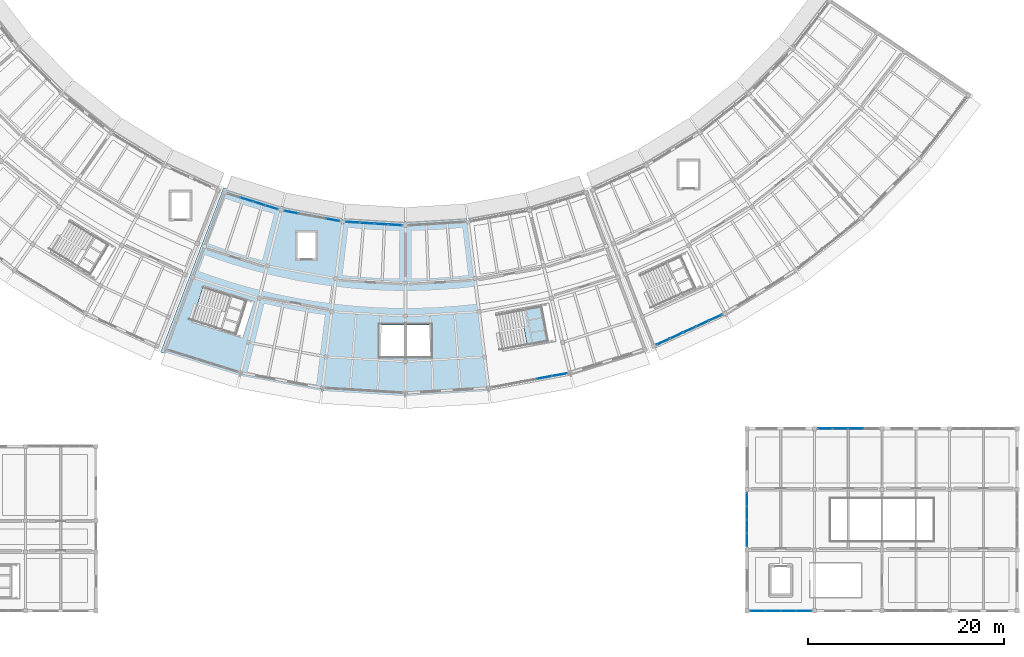
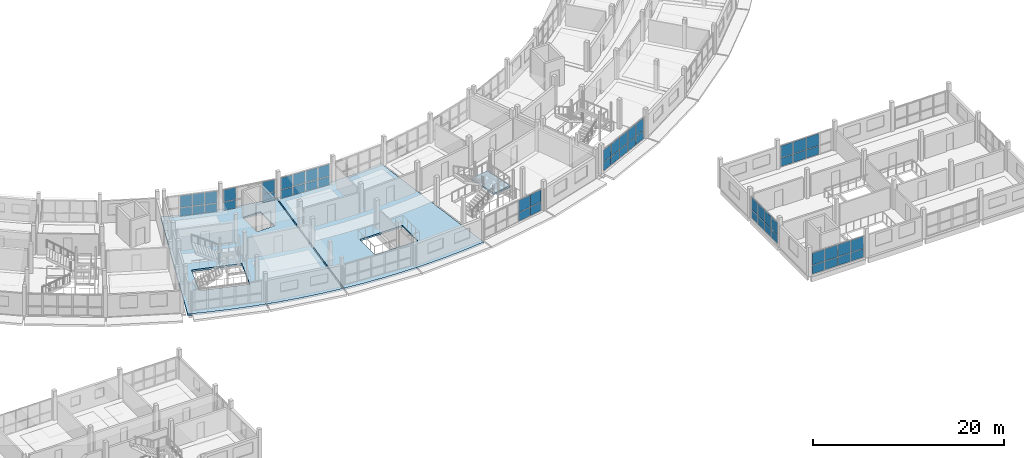
# One storey, part 47 of 77: 54 plates, 3 slabs, 9 elements without a shape of their own.
"""IFC4 building model written with IfcOpenShell, lengths in metres."""

from ifc_helpers import new_model, si_unit, direction, frame, origin, origin_2d, place, context, subcontext, project, spatial, polyline, rectangle, outline, extrude, material, layer, layer_set, type_object, element, aggregate, save


model = new_model("IFC4")

# Units and contexts
model_context = context("Model", 3, precision=1e-05, world=origin(), true_north=direction((0.0, 1.0)))
body_context = subcontext(model_context, "Body", "Model", "MODEL_VIEW")
ifc_project = project(units=[si_unit("LENGTHUNIT", "METRE"), si_unit("AREAUNIT", "SQUARE_METRE"), si_unit("VOLUMEUNIT", "CUBIC_METRE"), si_unit("PLANEANGLEUNIT", "RADIAN"), si_unit("MASSUNIT", "GRAM", prefix="KILO")], contexts=[model_context])

# Site, building, storey
site_placement = place(None, origin())
site = spatial("IfcSite", under=ifc_project, at=site_placement, CompositionType="ELEMENT")
building_placement = place(site_placement, origin())
building = spatial("IfcBuilding", under=site, at=building_placement, Name="Caldaven Crescent School", CompositionType="ELEMENT")
storey_placement = place(building_placement, frame((0.0, 0.0, 4.419921875)))
storey = spatial("IfcBuildingStorey", under=building, at=storey_placement, Name="L01", CompositionType="ELEMENT", Elevation=4.419921875)

# Curtain wall, plates
ifc_material_1 = material(Name="Anodised aluminium AA 6063-T6 and low-E double glazing", Category="aluminium")
ifc_layer_1 = layer(ifc_material_1, 0.2099609375)
ifc_layer_set_1 = layer_set([ifc_layer_1], Name="Anodised aluminium AA 6063-T6 and low-E double glazing")
curtain_wall_type_1 = type_object("IfcCurtainWallType", Name="CW-SYS3", PredefinedType="NOTDEFINED", material=ifc_layer_set_1)
curtain_wall_1_placement = place(storey_placement, origin())
curtain_wall_1 = element("IfcCurtainWall", 1, at=curtain_wall_1_placement, inside=storey, type_object=curtain_wall_type_1, Name="CW-L01-121", PredefinedType="NOTDEFINED")
ifc_material_2 = material(Name="Tempered low-E double glazing IGU", Category="glass")
ifc_layer_2 = layer(ifc_material_2, 0.028076171875)
ifc_layer_set_2 = layer_set([ifc_layer_2], Name="Tempered low-E double glazing IGU")
plate_type_1 = type_object("IfcPlateType", Name="PLT-CWP02", PredefinedType="CURTAIN_PANEL", material=ifc_layer_set_2)
plate_1_placement = place(storey_placement, frame((71.776611328125, 46.208984375, 0.06005859375), z_axis=(0.0, 0.0, 1.0), x_axis=(0.954746818344, -0.297419758694, 0.0)))
plate_1 = element("IfcPlate", 2, at=plate_1_placement, type_object=plate_type_1, Name="CW3 panel 2.1", PredefinedType="CURTAIN_PANEL", context=body_context, shape_type="SweptSolid", body=[
    extrude(rectangle(XDim=1.30078125, YDim=0.028076171875, at=origin_2d()), origin(), (0.0, 0.0, 1.0), 1.077880859375),
])
plate_2_placement = place(storey_placement, frame((71.776611328125, 46.208984375, 1.197998046875), z_axis=(0.0, 0.0, 1.0), x_axis=(0.954746818344, -0.297419758694, 0.0)))
plate_2 = element("IfcPlate", 3, at=plate_2_placement, type_object=plate_type_1, Name="CW3 panel 2.2", PredefinedType="CURTAIN_PANEL", context=body_context, shape_type="SweptSolid", body=[
    extrude(rectangle(XDim=1.30078125, YDim=0.028076171875, at=origin_2d()), origin(), (0.0, 0.0, 1.0), 1.52197265625),
])
plate_3_placement = place(storey_placement, frame((73.075927734375, 45.804443359375, 0.06005859375), z_axis=(0.0, 0.0, 1.0), x_axis=(0.954746818344, -0.297419758694, 0.0)))
plate_3 = element("IfcPlate", 4, at=plate_3_placement, type_object=plate_type_1, Name="CW3 panel 3.1", PredefinedType="CURTAIN_PANEL", context=body_context, shape_type="SweptSolid", body=[
    extrude(rectangle(XDim=1.30078125, YDim=0.028076171875, at=origin_2d()), origin(), (0.0, 0.0, 1.0), 1.077880859375),
])
plate_4_placement = place(storey_placement, frame((73.075927734375, 45.804443359375, 1.197998046875), z_axis=(0.0, 0.0, 1.0), x_axis=(0.954746818344, -0.297419758694, 0.0)))
plate_4 = element("IfcPlate", 5, at=plate_4_placement, type_object=plate_type_1, Name="CW3 panel 3.2", PredefinedType="CURTAIN_PANEL", context=body_context, shape_type="SweptSolid", body=[
    extrude(rectangle(XDim=1.30078125, YDim=0.028076171875, at=origin_2d()), origin(), (0.0, 0.0, 1.0), 1.52197265625),
])
plate_5_placement = place(storey_placement, frame((74.36083984375, 45.404052734375, 0.06005859375), z_axis=(0.0, 0.0, 1.0), x_axis=(0.954746818344, -0.297419758694, 0.0)))
plate_5 = element("IfcPlate", 6, at=plate_5_placement, type_object=plate_type_1, Name="CW3 panel 4.1", PredefinedType="CURTAIN_PANEL", context=body_context, shape_type="SweptSolid", body=[
    extrude(rectangle(XDim=1.270751953125, YDim=0.028076171875, at=origin_2d()), origin(), (0.0, 0.0, 1.0), 1.077880859375),
])
plate_6_placement = place(storey_placement, frame((74.36083984375, 45.404052734375, 1.197998046875), z_axis=(0.0, 0.0, 1.0), x_axis=(0.954746818344, -0.297419758694, 0.0)))
plate_6 = element("IfcPlate", 7, at=plate_6_placement, type_object=plate_type_1, Name="CW3 panel 4.2", PredefinedType="CURTAIN_PANEL", context=body_context, shape_type="SweptSolid", body=[
    extrude(rectangle(XDim=1.270751953125, YDim=0.028076171875, at=origin_2d()), origin(), (0.0, 0.0, 1.0), 1.52197265625),
])
aggregate(curtain_wall_1, [plate_1, plate_2, plate_3, plate_4, plate_5, plate_6])

ifc_layer_3 = layer(ifc_material_1, 0.22998046875)
ifc_layer_set_3 = layer_set([ifc_layer_3], Name="Anodised aluminium AA 6063-T6 and low-E double glazing")
curtain_wall_type_2 = type_object("IfcCurtainWallType", Name="CW-SYS4", PredefinedType="NOTDEFINED", material=ifc_layer_set_3)
curtain_wall_2_placement = place(storey_placement, origin())
curtain_wall_2 = element("IfcCurtainWall", 8, at=curtain_wall_2_placement, inside=storey, type_object=curtain_wall_type_2, Name="CW-L01-123", PredefinedType="NOTDEFINED")
ifc_layer_4 = layer(ifc_material_2, 0.031982421875)
ifc_layer_set_4 = layer_set([ifc_layer_4], Name="Tempered low-E double glazing IGU")
plate_type_2 = type_object("IfcPlateType", Name="PLT-CWP04", PredefinedType="CURTAIN_PANEL", material=ifc_layer_set_4)
plate_7_placement = place(storey_placement, frame((76.33544921875, 44.918212890625, 0.06005859375), z_axis=(0.0, 0.0, 1.0), x_axis=(0.983254744401, -0.182236405836, 0.0)))
plate_7 = element("IfcPlate", 9, at=plate_7_placement, type_object=plate_type_2, Name="CW4 panel 1.1", PredefinedType="CURTAIN_PANEL", context=body_context, shape_type="SweptSolid", body=[
    extrude(rectangle(XDim=1.353515625, YDim=0.031982421875, at=origin_2d()), origin(), (0.0, 0.0, 1.0), 1.077880859375),
])
plate_8_placement = place(storey_placement, frame((76.33544921875, 44.918212890625, 1.197998046875), z_axis=(0.0, 0.0, 1.0), x_axis=(0.983254744401, -0.182236405836, 0.0)))
plate_8 = element("IfcPlate", 10, at=plate_8_placement, type_object=plate_type_2, Name="CW4 panel 1.2", PredefinedType="CURTAIN_PANEL", context=body_context, shape_type="SweptSolid", body=[
    extrude(rectangle(XDim=1.353515625, YDim=0.031982421875, at=origin_2d()), origin(), (0.0, 0.0, 1.0), 1.52197265625),
])
plate_9_placement = place(storey_placement, frame((80.583740234375, 44.130859375, 0.06005859375), z_axis=(0.0, 0.0, 1.0), x_axis=(0.983254744401, -0.182236405836, 0.0)))
plate_9 = element("IfcPlate", 11, at=plate_9_placement, type_object=plate_type_2, Name="CW4 panel 4.1", PredefinedType="CURTAIN_PANEL", context=body_context, shape_type="SweptSolid", body=[
    extrude(rectangle(XDim=1.353515625, YDim=0.031982421875, at=origin_2d()), origin(), (0.0, 0.0, 1.0), 1.077880859375),
])
plate_10_placement = place(storey_placement, frame((80.583740234375, 44.130859375, 1.197998046875), z_axis=(0.0, 0.0, 1.0), x_axis=(0.983254744401, -0.182236405836, 0.0)))
plate_10 = element("IfcPlate", 12, at=plate_10_placement, type_object=plate_type_2, Name="CW4 panel 4.2", PredefinedType="CURTAIN_PANEL", context=body_context, shape_type="SweptSolid", body=[
    extrude(rectangle(XDim=1.353515625, YDim=0.031982421875, at=origin_2d()), origin(), (0.0, 0.0, 1.0), 1.52197265625),
])
aggregate(curtain_wall_2, [plate_7, plate_8, plate_9, plate_10])

ifc_layer_5 = layer(ifc_material_1, 0.169921875)
ifc_layer_set_5 = layer_set([ifc_layer_5], Name="Anodised aluminium AA 6063-T6 and low-E double glazing")
curtain_wall_type_3 = type_object("IfcCurtainWallType", Name="CW-SYS1", PredefinedType="NOTDEFINED", material=ifc_layer_set_5)
curtain_wall_3_placement = place(storey_placement, origin())
curtain_wall_3 = element("IfcCurtainWall", 13, at=curtain_wall_3_placement, inside=storey, type_object=curtain_wall_type_3, Name="CW-L01-124", PredefinedType="NOTDEFINED")
ifc_layer_6 = layer(ifc_material_2, 0.033935546875)
ifc_layer_set_6 = layer_set([ifc_layer_6], Name="Tempered low-E double glazing IGU")
plate_type_3 = type_object("IfcPlateType", Name="PLT-CWP05", PredefinedType="CURTAIN_PANEL", material=ifc_layer_set_6)
plate_11_placement = place(storey_placement, frame((82.64892578125, 43.877197265625, 0.06494140625), z_axis=(0.0, 0.0, 1.0), x_axis=(0.998134750717, -0.061049319496, 0.0)))
plate_11 = element("IfcPlate", 14, at=plate_11_placement, type_object=plate_type_3, Name="CW1 panel 1.1", PredefinedType="CURTAIN_PANEL", context=body_context, shape_type="SweptSolid", body=[
    extrude(rectangle(XDim=1.345947265625, YDim=0.033935546875, at=origin_2d()), origin(), (0.0, 0.0, 1.0), 1.070556640625),
])
plate_12_placement = place(storey_placement, frame((82.64892578125, 43.877197265625, 1.20068359375), z_axis=(0.0, 0.0, 1.0), x_axis=(0.998134750717, -0.061049319496, 0.0)))
plate_12 = element("IfcPlate", 15, at=plate_12_placement, type_object=plate_type_3, Name="CW1 panel 1.2", PredefinedType="CURTAIN_PANEL", context=body_context, shape_type="SweptSolid", body=[
    extrude(rectangle(XDim=1.345947265625, YDim=0.033935546875, at=origin_2d()), origin(), (0.0, 0.0, 1.0), 1.514404296875),
])
plate_13_placement = place(storey_placement, frame((84.079833984375, 43.789794921875, 0.06494140625), z_axis=(0.0, 0.0, 1.0), x_axis=(0.998134750717, -0.061049319496, 0.0)))
plate_13 = element("IfcPlate", 16, at=plate_13_placement, type_object=plate_type_3, Name="CW1 panel 2.1", PredefinedType="CURTAIN_PANEL", context=body_context, shape_type="SweptSolid", body=[
    extrude(rectangle(XDim=1.381103515625, YDim=0.033935546875, at=origin_2d()), origin(), (0.0, 0.0, 1.0), 1.070556640625),
])
plate_14_placement = place(storey_placement, frame((84.079833984375, 43.789794921875, 1.20068359375), z_axis=(0.0, 0.0, 1.0), x_axis=(0.998134750717, -0.061049319496, 0.0)))
plate_14 = element("IfcPlate", 17, at=plate_14_placement, type_object=plate_type_3, Name="CW1 panel 2.2", PredefinedType="CURTAIN_PANEL", context=body_context, shape_type="SweptSolid", body=[
    extrude(rectangle(XDim=1.381103515625, YDim=0.033935546875, at=origin_2d()), origin(), (0.0, 0.0, 1.0), 1.514404296875),
])
plate_15_placement = place(storey_placement, frame((85.528076171875, 43.701171875, 0.06494140625), z_axis=(0.0, 0.0, 1.0), x_axis=(0.998134750717, -0.061049319496, 0.0)))
plate_15 = element("IfcPlate", 18, at=plate_15_placement, type_object=plate_type_3, Name="CW1 panel 3.1", PredefinedType="CURTAIN_PANEL", context=body_context, shape_type="SweptSolid", body=[
    extrude(rectangle(XDim=1.381103515625, YDim=0.033935546875, at=origin_2d()), origin(), (0.0, 0.0, 1.0), 1.070556640625),
])
plate_16_placement = place(storey_placement, frame((85.528076171875, 43.701171875, 1.20068359375), z_axis=(0.0, 0.0, 1.0), x_axis=(0.998134750717, -0.061049319496, 0.0)))
plate_16 = element("IfcPlate", 19, at=plate_16_placement, type_object=plate_type_3, Name="CW1 panel 3.2", PredefinedType="CURTAIN_PANEL", context=body_context, shape_type="SweptSolid", body=[
    extrude(rectangle(XDim=1.381103515625, YDim=0.033935546875, at=origin_2d()), origin(), (0.0, 0.0, 1.0), 1.514404296875),
])
plate_17_placement = place(storey_placement, frame((86.958984375, 43.61376953125, 0.06494140625), z_axis=(0.0, 0.0, 1.0), x_axis=(0.998134750717, -0.061049319496, 0.0)))
plate_17 = element("IfcPlate", 20, at=plate_17_placement, type_object=plate_type_3, Name="CW1 panel 4.1", PredefinedType="CURTAIN_PANEL", context=body_context, shape_type="SweptSolid", body=[
    extrude(rectangle(XDim=1.345947265625, YDim=0.033935546875, at=origin_2d()), origin(), (0.0, 0.0, 1.0), 1.070556640625),
])
plate_18_placement = place(storey_placement, frame((86.958984375, 43.61376953125, 1.20068359375), z_axis=(0.0, 0.0, 1.0), x_axis=(0.998134750717, -0.061049319496, 0.0)))
plate_18 = element("IfcPlate", 21, at=plate_18_placement, type_object=plate_type_3, Name="CW1 panel 4.2", PredefinedType="CURTAIN_PANEL", context=body_context, shape_type="SweptSolid", body=[
    extrude(rectangle(XDim=1.345947265625, YDim=0.033935546875, at=origin_2d()), origin(), (0.0, 0.0, 1.0), 1.514404296875),
])
aggregate(curtain_wall_3, [plate_11, plate_12, plate_13, plate_14, plate_15, plate_16, plate_17, plate_18])

curtain_wall_4_placement = place(storey_placement, origin())
curtain_wall_4 = element("IfcCurtainWall", 22, at=curtain_wall_4_placement, inside=storey, type_object=curtain_wall_type_3, Name="CW-L01-128", PredefinedType="NOTDEFINED")
ifc_layer_7 = layer(ifc_material_2, 0.0419921875)
ifc_layer_set_7 = layer_set([ifc_layer_7], Name="Tempered low-E double glazing IGU")
plate_type_4 = type_object("IfcPlateType", Name="PLT-CWP09", PredefinedType="CURTAIN_PANEL", material=ifc_layer_set_7)
plate_19_placement = place(storey_placement, frame((102.202880859375, 28.02978515625, 0.06005859375), z_axis=(0.0, 0.0, 1.0), x_axis=(0.983255029874, 0.182234865564, 0.0)))
plate_19 = element("IfcPlate", 23, at=plate_19_placement, type_object=plate_type_4, Name="CW1 panel 4.1", PredefinedType="CURTAIN_PANEL", context=body_context, shape_type="SweptSolid", body=[
    extrude(rectangle(XDim=1.518310546875, YDim=0.0419921875, at=origin_2d()), origin(), (0.0, 0.0, 1.0), 1.077880859375),
])
plate_20_placement = place(storey_placement, frame((102.202880859375, 28.02978515625, 1.197998046875), z_axis=(0.0, 0.0, 1.0), x_axis=(0.983255029874, 0.182234865564, 0.0)))
plate_20 = element("IfcPlate", 24, at=plate_20_placement, type_object=plate_type_4, Name="CW1 panel 4.2", PredefinedType="CURTAIN_PANEL", context=body_context, shape_type="SweptSolid", body=[
    extrude(rectangle(XDim=1.518310546875, YDim=0.0419921875, at=origin_2d()), origin(), (0.0, 0.0, 1.0), 1.52197265625),
])
plate_21_placement = place(storey_placement, frame((103.739990234375, 28.314697265625, 0.06005859375), z_axis=(0.0, 0.0, 1.0), x_axis=(0.983255029874, 0.182234865564, 0.0)))
plate_21 = element("IfcPlate", 25, at=plate_21_placement, type_object=plate_type_4, Name="CW1 panel 5.1", PredefinedType="CURTAIN_PANEL", context=body_context, shape_type="SweptSolid", body=[
    extrude(rectangle(XDim=1.48828125, YDim=0.0419921875, at=origin_2d()), origin(), (0.0, 0.0, 1.0), 1.077880859375),
])
plate_22_placement = place(storey_placement, frame((103.739990234375, 28.314697265625, 1.197998046875), z_axis=(0.0, 0.0, 1.0), x_axis=(0.983255029874, 0.182234865564, 0.0)))
plate_22 = element("IfcPlate", 26, at=plate_22_placement, type_object=plate_type_4, Name="CW1 panel 5.2", PredefinedType="CURTAIN_PANEL", context=body_context, shape_type="SweptSolid", body=[
    extrude(rectangle(XDim=1.48828125, YDim=0.0419921875, at=origin_2d()), origin(), (0.0, 0.0, 1.0), 1.52197265625),
])
aggregate(curtain_wall_4, [plate_19, plate_20, plate_21, plate_22])

curtain_wall_5_placement = place(storey_placement, origin())
curtain_wall_5 = element("IfcCurtainWall", 27, at=curtain_wall_5_placement, inside=storey, type_object=curtain_wall_type_1, Name="CW-L01-131", PredefinedType="NOTDEFINED")
ifc_layer_8 = layer(ifc_material_2, 0.048095703125)
ifc_layer_set_8 = layer_set([ifc_layer_8], Name="Tempered low-E double glazing IGU")
plate_type_5 = type_object("IfcPlateType", Name="PLT-CWP12", PredefinedType="CURTAIN_PANEL", material=ifc_layer_set_8)
plate_23_placement = place(storey_placement, frame((114.3330078125, 31.68505859375, 0.06494140625), z_axis=(0.0, 0.0, 1.0), x_axis=(0.908528252306, 0.417823425339, 0.0)))
plate_23 = element("IfcPlate", 28, at=plate_23_placement, type_object=plate_type_5, Name="CW3 panel 1.1", PredefinedType="CURTAIN_PANEL", context=body_context, shape_type="SweptSolid", body=[
    extrude(rectangle(XDim=1.377685546875, YDim=0.048095703125, at=origin_2d()), origin(), (0.0, 0.0, 1.0), 1.070556640625),
])
plate_24_placement = place(storey_placement, frame((114.3330078125, 31.68505859375, 1.20068359375), z_axis=(0.0, 0.0, 1.0), x_axis=(0.908528252306, 0.417823425339, 0.0)))
plate_24 = element("IfcPlate", 29, at=plate_24_placement, type_object=plate_type_5, Name="CW3 panel 1.2", PredefinedType="CURTAIN_PANEL", context=body_context, shape_type="SweptSolid", body=[
    extrude(rectangle(XDim=1.377685546875, YDim=0.048095703125, at=origin_2d()), origin(), (0.0, 0.0, 1.0), 1.514404296875),
])
plate_25_placement = place(storey_placement, frame((115.664306640625, 32.29736328125, 0.06494140625), z_axis=(0.0, 0.0, 1.0), x_axis=(0.908528252306, 0.417823425339, 0.0)))
plate_25 = element("IfcPlate", 30, at=plate_25_placement, type_object=plate_type_5, Name="CW3 panel 2.1", PredefinedType="CURTAIN_PANEL", context=body_context, shape_type="SweptSolid", body=[
    extrude(rectangle(XDim=1.412841796875, YDim=0.048095703125, at=origin_2d()), origin(), (0.0, 0.0, 1.0), 1.070556640625),
])
plate_26_placement = place(storey_placement, frame((115.664306640625, 32.29736328125, 1.20068359375), z_axis=(0.0, 0.0, 1.0), x_axis=(0.908528252306, 0.417823425339, 0.0)))
plate_26 = element("IfcPlate", 31, at=plate_26_placement, type_object=plate_type_5, Name="CW3 panel 2.2", PredefinedType="CURTAIN_PANEL", context=body_context, shape_type="SweptSolid", body=[
    extrude(rectangle(XDim=1.412841796875, YDim=0.048095703125, at=origin_2d()), origin(), (0.0, 0.0, 1.0), 1.514404296875),
])
plate_27_placement = place(storey_placement, frame((117.011474609375, 32.916748046875, 0.06494140625), z_axis=(0.0, 0.0, 1.0), x_axis=(0.908528252306, 0.417823425339, 0.0)))
plate_27 = element("IfcPlate", 32, at=plate_27_placement, type_object=plate_type_5, Name="CW3 panel 3.1", PredefinedType="CURTAIN_PANEL", context=body_context, shape_type="SweptSolid", body=[
    extrude(rectangle(XDim=1.412841796875, YDim=0.048095703125, at=origin_2d()), origin(), (0.0, 0.0, 1.0), 1.070556640625),
])
plate_28_placement = place(storey_placement, frame((117.011474609375, 32.916748046875, 1.20068359375), z_axis=(0.0, 0.0, 1.0), x_axis=(0.908528252306, 0.417823425339, 0.0)))
plate_28 = element("IfcPlate", 33, at=plate_28_placement, type_object=plate_type_5, Name="CW3 panel 3.2", PredefinedType="CURTAIN_PANEL", context=body_context, shape_type="SweptSolid", body=[
    extrude(rectangle(XDim=1.412841796875, YDim=0.048095703125, at=origin_2d()), origin(), (0.0, 0.0, 1.0), 1.514404296875),
])
plate_29_placement = place(storey_placement, frame((118.3583984375, 33.536376953125, 0.06494140625), z_axis=(0.0, 0.0, 1.0), x_axis=(0.908528252306, 0.417823425339, 0.0)))
plate_29 = element("IfcPlate", 34, at=plate_29_placement, type_object=plate_type_5, Name="CW3 panel 4.1", PredefinedType="CURTAIN_PANEL", context=body_context, shape_type="SweptSolid", body=[
    extrude(rectangle(XDim=1.412841796875, YDim=0.048095703125, at=origin_2d()), origin(), (0.0, 0.0, 1.0), 1.070556640625),
])
plate_30_placement = place(storey_placement, frame((118.3583984375, 33.536376953125, 1.20068359375), z_axis=(0.0, 0.0, 1.0), x_axis=(0.908528252306, 0.417823425339, 0.0)))
plate_30 = element("IfcPlate", 35, at=plate_30_placement, type_object=plate_type_5, Name="CW3 panel 4.2", PredefinedType="CURTAIN_PANEL", context=body_context, shape_type="SweptSolid", body=[
    extrude(rectangle(XDim=1.412841796875, YDim=0.048095703125, at=origin_2d()), origin(), (0.0, 0.0, 1.0), 1.514404296875),
])
plate_31_placement = place(storey_placement, frame((119.689697265625, 34.148681640625, 0.06494140625), z_axis=(0.0, 0.0, 1.0), x_axis=(0.908528252306, 0.417823425339, 0.0)))
plate_31 = element("IfcPlate", 36, at=plate_31_placement, type_object=plate_type_5, Name="CW3 panel 5.1", PredefinedType="CURTAIN_PANEL", context=body_context, shape_type="SweptSolid", body=[
    extrude(rectangle(XDim=1.377685546875, YDim=0.048095703125, at=origin_2d()), origin(), (0.0, 0.0, 1.0), 1.070556640625),
])
plate_32_placement = place(storey_placement, frame((119.689697265625, 34.148681640625, 1.20068359375), z_axis=(0.0, 0.0, 1.0), x_axis=(0.908528252306, 0.417823425339, 0.0)))
plate_32 = element("IfcPlate", 37, at=plate_32_placement, type_object=plate_type_5, Name="CW3 panel 5.2", PredefinedType="CURTAIN_PANEL", context=body_context, shape_type="SweptSolid", body=[
    extrude(rectangle(XDim=1.377685546875, YDim=0.048095703125, at=origin_2d()), origin(), (0.0, 0.0, 1.0), 1.514404296875),
])
aggregate(curtain_wall_5, [plate_23, plate_24, plate_25, plate_26, plate_27, plate_28, plate_29, plate_30, plate_31, plate_32])

curtain_wall_6_placement = place(storey_placement, origin())
curtain_wall_6 = element("IfcCurtainWall", 38, at=curtain_wall_6_placement, inside=storey, type_object=curtain_wall_type_3, Name="CW-L01-084", PredefinedType="NOTDEFINED")
ifc_layer_9 = layer(ifc_material_2, 0.050048828125)
ifc_layer_set_9 = layer_set([ifc_layer_9], Name="Tempered low-E double glazing IGU")
plate_type_6 = type_object("IfcPlateType", Name="PLT-CWP13", PredefinedType="CURTAIN_PANEL", material=ifc_layer_set_9)
plate_33_placement = place(storey_placement, frame((124.00244140625, 4.199951171875, 0.06005859375), z_axis=(0.0, 0.0, 1.0), x_axis=(1.0, 0.0, 0.0)))
plate_33 = element("IfcPlate", 39, at=plate_33_placement, type_object=plate_type_6, Name="CW1 panel 1.1", PredefinedType="CURTAIN_PANEL", context=body_context, shape_type="SweptSolid", body=[
    extrude(rectangle(XDim=1.485107421875, YDim=0.050048828125, at=origin_2d()), origin(), (0.0, 0.0, 1.0), 1.077880859375),
])
plate_34_placement = place(storey_placement, frame((124.00244140625, 4.199951171875, 1.197998046875), z_axis=(0.0, 0.0, 1.0), x_axis=(1.0, 0.0, 0.0)))
plate_34 = element("IfcPlate", 40, at=plate_34_placement, type_object=plate_type_6, Name="CW1 panel 1.2", PredefinedType="CURTAIN_PANEL", context=body_context, shape_type="SweptSolid", body=[
    extrude(rectangle(XDim=1.485107421875, YDim=0.050048828125, at=origin_2d()), origin(), (0.0, 0.0, 1.0), 1.52197265625),
])
plate_35_placement = place(storey_placement, frame((125.5625, 4.199951171875, 0.06005859375), z_axis=(0.0, 0.0, 1.0), x_axis=(1.0, 0.0, 0.0)))
plate_35 = element("IfcPlate", 41, at=plate_35_placement, type_object=plate_type_6, Name="CW1 panel 2.1", PredefinedType="CURTAIN_PANEL", context=body_context, shape_type="SweptSolid", body=[
    extrude(rectangle(XDim=1.514892578125, YDim=0.050048828125, at=origin_2d()), origin(), (0.0, 0.0, 1.0), 1.077880859375),
])
plate_36_placement = place(storey_placement, frame((125.5625, 4.199951171875, 1.197998046875), z_axis=(0.0, 0.0, 1.0), x_axis=(1.0, 0.0, 0.0)))
plate_36 = element("IfcPlate", 42, at=plate_36_placement, type_object=plate_type_6, Name="CW1 panel 2.2", PredefinedType="CURTAIN_PANEL", context=body_context, shape_type="SweptSolid", body=[
    extrude(rectangle(XDim=1.514892578125, YDim=0.050048828125, at=origin_2d()), origin(), (0.0, 0.0, 1.0), 1.52197265625),
])
plate_37_placement = place(storey_placement, frame((127.137451171875, 4.199951171875, 0.06005859375), z_axis=(0.0, 0.0, 1.0), x_axis=(1.0, 0.0, 0.0)))
plate_37 = element("IfcPlate", 43, at=plate_37_placement, type_object=plate_type_6, Name="CW1 panel 3.1", PredefinedType="CURTAIN_PANEL", context=body_context, shape_type="SweptSolid", body=[
    extrude(rectangle(XDim=1.514892578125, YDim=0.050048828125, at=origin_2d()), origin(), (0.0, 0.0, 1.0), 1.077880859375),
])
plate_38_placement = place(storey_placement, frame((127.137451171875, 4.199951171875, 1.197998046875), z_axis=(0.0, 0.0, 1.0), x_axis=(1.0, 0.0, 0.0)))
plate_38 = element("IfcPlate", 44, at=plate_38_placement, type_object=plate_type_6, Name="CW1 panel 3.2", PredefinedType="CURTAIN_PANEL", context=body_context, shape_type="SweptSolid", body=[
    extrude(rectangle(XDim=1.514892578125, YDim=0.050048828125, at=origin_2d()), origin(), (0.0, 0.0, 1.0), 1.52197265625),
])
plate_39_placement = place(storey_placement, frame((128.697509765625, 4.199951171875, 0.06005859375), z_axis=(0.0, 0.0, 1.0), x_axis=(1.0, 0.0, 0.0)))
plate_39 = element("IfcPlate", 45, at=plate_39_placement, type_object=plate_type_6, Name="CW1 panel 4.1", PredefinedType="CURTAIN_PANEL", context=body_context, shape_type="SweptSolid", body=[
    extrude(rectangle(XDim=1.485107421875, YDim=0.050048828125, at=origin_2d()), origin(), (0.0, 0.0, 1.0), 1.077880859375),
])
plate_40_placement = place(storey_placement, frame((128.697509765625, 4.199951171875, 1.197998046875), z_axis=(0.0, 0.0, 1.0), x_axis=(1.0, 0.0, 0.0)))
plate_40 = element("IfcPlate", 46, at=plate_40_placement, type_object=plate_type_6, Name="CW1 panel 4.2", PredefinedType="CURTAIN_PANEL", context=body_context, shape_type="SweptSolid", body=[
    extrude(rectangle(XDim=1.485107421875, YDim=0.050048828125, at=origin_2d()), origin(), (0.0, 0.0, 1.0), 1.52197265625),
])
aggregate(curtain_wall_6, [plate_33, plate_34, plate_35, plate_36, plate_37, plate_38, plate_39, plate_40])

curtain_wall_7_placement = place(storey_placement, origin())
curtain_wall_7 = element("IfcCurtainWall", 47, at=curtain_wall_7_placement, inside=storey, type_object=curtain_wall_type_1, Name="CW-L01-086", PredefinedType="NOTDEFINED")
ifc_layer_10 = layer(ifc_material_2, 0.053955078125)
ifc_layer_set_10 = layer_set([ifc_layer_10], Name="Tempered low-E double glazing IGU")
plate_type_7 = type_object("IfcPlateType", Name="PLT-CWP15", PredefinedType="CURTAIN_PANEL", material=ifc_layer_set_10)
plate_41_placement = place(storey_placement, frame((130.905029296875, 22.800048828125, 0.06494140625), z_axis=(0.0, 0.0, 1.0), x_axis=(1.0, 0.0, 0.0)))
plate_41 = element("IfcPlate", 48, at=plate_41_placement, type_object=plate_type_7, Name="CW3 panel 1.1", PredefinedType="CURTAIN_PANEL", context=body_context, shape_type="SweptSolid", body=[
    extrude(rectangle(XDim=1.469970703125, YDim=0.053955078125, at=origin_2d()), origin(), (0.0, 0.0, 1.0), 1.070556640625),
])
plate_42_placement = place(storey_placement, frame((130.905029296875, 22.800048828125, 1.20068359375), z_axis=(0.0, 0.0, 1.0), x_axis=(1.0, 0.0, 0.0)))
plate_42 = element("IfcPlate", 49, at=plate_42_placement, type_object=plate_type_7, Name="CW3 panel 1.2", PredefinedType="CURTAIN_PANEL", context=body_context, shape_type="SweptSolid", body=[
    extrude(rectangle(XDim=1.469970703125, YDim=0.053955078125, at=origin_2d()), origin(), (0.0, 0.0, 1.0), 1.514404296875),
])
plate_43_placement = place(storey_placement, frame((132.46240234375, 22.800048828125, 0.06494140625), z_axis=(0.0, 0.0, 1.0), x_axis=(1.0, 0.0, 0.0)))
plate_43 = element("IfcPlate", 50, at=plate_43_placement, type_object=plate_type_7, Name="CW3 panel 2.1", PredefinedType="CURTAIN_PANEL", context=body_context, shape_type="SweptSolid", body=[
    extrude(rectangle(XDim=1.5048828125, YDim=0.053955078125, at=origin_2d()), origin(), (0.0, 0.0, 1.0), 1.070556640625),
])
plate_44_placement = place(storey_placement, frame((132.46240234375, 22.800048828125, 1.20068359375), z_axis=(0.0, 0.0, 1.0), x_axis=(1.0, 0.0, 0.0)))
plate_44 = element("IfcPlate", 51, at=plate_44_placement, type_object=plate_type_7, Name="CW3 panel 2.2", PredefinedType="CURTAIN_PANEL", context=body_context, shape_type="SweptSolid", body=[
    extrude(rectangle(XDim=1.5048828125, YDim=0.053955078125, at=origin_2d()), origin(), (0.0, 0.0, 1.0), 1.514404296875),
])
plate_45_placement = place(storey_placement, frame((134.03759765625, 22.800048828125, 0.06494140625), z_axis=(0.0, 0.0, 1.0), x_axis=(1.0, 0.0, 0.0)))
plate_45 = element("IfcPlate", 52, at=plate_45_placement, type_object=plate_type_7, Name="CW3 panel 3.1", PredefinedType="CURTAIN_PANEL", context=body_context, shape_type="SweptSolid", body=[
    extrude(rectangle(XDim=1.5048828125, YDim=0.053955078125, at=origin_2d()), origin(), (0.0, 0.0, 1.0), 1.070556640625),
])
plate_46_placement = place(storey_placement, frame((134.03759765625, 22.800048828125, 1.20068359375), z_axis=(0.0, 0.0, 1.0), x_axis=(1.0, 0.0, 0.0)))
plate_46 = element("IfcPlate", 53, at=plate_46_placement, type_object=plate_type_7, Name="CW3 panel 3.2", PredefinedType="CURTAIN_PANEL", context=body_context, shape_type="SweptSolid", body=[
    extrude(rectangle(XDim=1.5048828125, YDim=0.053955078125, at=origin_2d()), origin(), (0.0, 0.0, 1.0), 1.514404296875),
])
aggregate(curtain_wall_7, [plate_41, plate_42, plate_43, plate_44, plate_45, plate_46])

curtain_wall_8_placement = place(storey_placement, origin())
curtain_wall_8 = element("IfcCurtainWall", 54, at=curtain_wall_8_placement, inside=storey, type_object=curtain_wall_type_1, Name="CW-L01-088", PredefinedType="NOTDEFINED")
ifc_layer_11 = layer(ifc_material_2, 0.05810546875)
ifc_layer_set_11 = layer_set([ifc_layer_11], Name="Tempered low-E double glazing IGU")
plate_type_8 = type_object("IfcPlateType", Name="PLT-CWP17", PredefinedType="CURTAIN_PANEL", material=ifc_layer_set_11)
plate_47_placement = place(storey_placement, frame((122.89990234375, 11.41748046875, 0.06494140625), z_axis=(0.0, 0.0, 1.0), x_axis=(0.0, 1.0, 0.0)))
plate_47 = element("IfcPlate", 55, at=plate_47_placement, type_object=plate_type_8, Name="CW3 panel 1.1", PredefinedType="CURTAIN_PANEL", context=body_context, shape_type="SweptSolid", body=[
    extrude(rectangle(XDim=1.294921875, YDim=0.05810546875, at=origin_2d()), origin(), (0.0, 0.0, 1.0), 1.070556640625),
])
plate_48_placement = place(storey_placement, frame((122.89990234375, 11.41748046875, 1.20068359375), z_axis=(0.0, 0.0, 1.0), x_axis=(0.0, 1.0, 0.0)))
plate_48 = element("IfcPlate", 56, at=plate_48_placement, type_object=plate_type_8, Name="CW3 panel 1.2", PredefinedType="CURTAIN_PANEL", context=body_context, shape_type="SweptSolid", body=[
    extrude(rectangle(XDim=1.294921875, YDim=0.05810546875, at=origin_2d()), origin(), (0.0, 0.0, 1.0), 1.514404296875),
])
plate_49_placement = place(storey_placement, frame((122.89990234375, 12.800048828125, 0.06494140625), z_axis=(0.0, 0.0, 1.0), x_axis=(0.0, 1.0, 0.0)))
plate_49 = element("IfcPlate", 57, at=plate_49_placement, type_object=plate_type_8, Name="CW3 panel 2.1", PredefinedType="CURTAIN_PANEL", context=body_context, shape_type="SweptSolid", body=[
    extrude(rectangle(XDim=1.330078125, YDim=0.05810546875, at=origin_2d()), origin(), (0.0, 0.0, 1.0), 1.070556640625),
])
plate_50_placement = place(storey_placement, frame((122.89990234375, 12.800048828125, 1.20068359375), z_axis=(0.0, 0.0, 1.0), x_axis=(0.0, 1.0, 0.0)))
plate_50 = element("IfcPlate", 58, at=plate_50_placement, type_object=plate_type_8, Name="CW3 panel 2.2", PredefinedType="CURTAIN_PANEL", context=body_context, shape_type="SweptSolid", body=[
    extrude(rectangle(XDim=1.330078125, YDim=0.05810546875, at=origin_2d()), origin(), (0.0, 0.0, 1.0), 1.514404296875),
])
plate_51_placement = place(storey_placement, frame((122.89990234375, 14.199951171875, 0.06494140625), z_axis=(0.0, 0.0, 1.0), x_axis=(0.0, 1.0, 0.0)))
plate_51 = element("IfcPlate", 59, at=plate_51_placement, type_object=plate_type_8, Name="CW3 panel 3.1", PredefinedType="CURTAIN_PANEL", context=body_context, shape_type="SweptSolid", body=[
    extrude(rectangle(XDim=1.330078125, YDim=0.05810546875, at=origin_2d()), origin(), (0.0, 0.0, 1.0), 1.070556640625),
])
plate_52_placement = place(storey_placement, frame((122.89990234375, 14.199951171875, 1.20068359375), z_axis=(0.0, 0.0, 1.0), x_axis=(0.0, 1.0, 0.0)))
plate_52 = element("IfcPlate", 60, at=plate_52_placement, type_object=plate_type_8, Name="CW3 panel 3.2", PredefinedType="CURTAIN_PANEL", context=body_context, shape_type="SweptSolid", body=[
    extrude(rectangle(XDim=1.330078125, YDim=0.05810546875, at=origin_2d()), origin(), (0.0, 0.0, 1.0), 1.514404296875),
])
plate_53_placement = place(storey_placement, frame((122.89990234375, 15.58251953125, 0.06494140625), z_axis=(0.0, 0.0, 1.0), x_axis=(0.0, 1.0, 0.0)))
plate_53 = element("IfcPlate", 61, at=plate_53_placement, type_object=plate_type_8, Name="CW3 panel 4.1", PredefinedType="CURTAIN_PANEL", context=body_context, shape_type="SweptSolid", body=[
    extrude(rectangle(XDim=1.294921875, YDim=0.05810546875, at=origin_2d()), origin(), (0.0, 0.0, 1.0), 1.070556640625),
])
plate_54_placement = place(storey_placement, frame((122.89990234375, 15.58251953125, 1.20068359375), z_axis=(0.0, 0.0, 1.0), x_axis=(0.0, 1.0, 0.0)))
plate_54 = element("IfcPlate", 62, at=plate_54_placement, type_object=plate_type_8, Name="CW3 panel 4.2", PredefinedType="CURTAIN_PANEL", context=body_context, shape_type="SweptSolid", body=[
    extrude(rectangle(XDim=1.294921875, YDim=0.05810546875, at=origin_2d()), origin(), (0.0, 0.0, 1.0), 1.514404296875),
])
aggregate(curtain_wall_8, [plate_47, plate_48, plate_49, plate_50, plate_51, plate_52, plate_53, plate_54])

# Slabs
ifc_material_3 = material(Name="Cross-laminated timber CLT C24", Category="wood")
ifc_layer_12 = layer(ifc_material_3, 0.219970703125)
ifc_layer_set_12 = layer_set([ifc_layer_12], Name="Cross-laminated timber CLT C24")
slab_type_1 = type_object("IfcSlabType", Name="SLB-FS2", PredefinedType="FLOOR", material=ifc_layer_set_12)
slab_1_placement = place(storey_placement, frame((0.0, 0.0, -0.219970703125)))
element("IfcSlab", 63, at=slab_1_placement, inside=storey, type_object=slab_type_1, Name="SLB-V5-L01-B05", PredefinedType="FLOOR", context=body_context, shape_type="SweptSolid", body=[
    extrude(outline(polyline([(62.99462890625, 30.61865234375), (65.268310546875, 29.793701171875), (67.5693359375, 29.0478515625), (69.89453125, 28.382080078125), (72.241455078125, 27.796875), (74.607177734375, 27.293212890625), (76.98876953125, 26.87158203125), (79.3837890625, 26.5322265625), (81.599365234375, 44.3955078125), (79.8203125, 44.6474609375), (78.051025390625, 44.960693359375), (76.293701171875, 45.334716796875), (74.55029296875, 45.76953125), (72.822998046875, 46.26416015625), (71.113525390625, 46.818115234375), (69.424560546875, 47.430908203125), (62.99462890625, 30.61865234375)]), holes=[polyline([(76.854248046875, 40.027587890625), (76.854248046875, 43.027587890625), (78.9541015625, 43.027587890625), (78.9541015625, 40.027587890625), (76.854248046875, 40.027587890625)]), polyline([(66.21142578125, 33.719482421875), (67.3720703125, 37.40087890625), (72.524169921875, 35.7763671875), (71.36328125, 32.094970703125), (66.21142578125, 33.719482421875)])]), origin(), (0.0, 0.0, 1.0), 0.219970703125),
])
slab_2_placement = place(storey_placement, frame((0.0, 0.0, -0.219970703125)))
element("IfcSlab", 64, at=slab_2_placement, inside=storey, type_object=slab_type_1, Name="SLB-V5-L01-B07", PredefinedType="FLOOR", context=body_context, shape_type="SweptSolid", body=[
    extrude(outline(polyline([(79.5546875, 26.51123046875), (81.96044921875, 26.260986328125), (84.373291015625, 26.093994140625), (86.79052734375, 26.010498046875), (89.20947265625, 26.010498046875), (91.626708984375, 26.093994140625), (94.03955078125, 26.260986328125), (96.4453125, 26.51123046875), (94.273681640625, 44.3798828125), (92.486572265625, 44.19384765625), (90.694091796875, 44.06982421875), (88.8984375, 44.0078125), (87.1015625, 44.0078125), (85.305908203125, 44.06982421875), (83.513427734375, 44.19384765625), (81.726318359375, 44.3798828125), (79.5546875, 26.51123046875)]), holes=[polyline([(85.39990234375, 30.199951171875), (85.39990234375, 33.39990234375), (90.60009765625, 33.39990234375), (90.60009765625, 30.199951171875), (85.39990234375, 30.199951171875)])]), origin(), (0.0, 0.0, 1.0), 0.219970703125),
])

# Stair, slab
ifc_material_4 = material(Name="Precast concrete C30/37", Category="concrete")
stair_type = type_object("IfcStairType", Name="STR-S6", PredefinedType="TWO_STRAIGHT_RUN_STAIR", material=ifc_material_4)
stair_placement = place(storey_placement, origin())
stair = element("IfcStair", 65, at=stair_placement, inside=storey, type_object=stair_type, Name="STAIR-ST3-L01", PredefinedType="TWO_STRAIGHT_RUN_STAIR")
ifc_material_5 = material(Name="Concrete C30/37", Category="concrete")
ifc_layer_13 = layer(ifc_material_5, 0.195068359375)
ifc_layer_set_13 = layer_set([ifc_layer_13], Name="Concrete C30/37")
slab_type_2 = type_object("IfcSlabType", Name="SLB-LND2", PredefinedType="LANDING", material=ifc_layer_set_13)
slab_3_placement = place(storey_placement, frame((0.0, 0.0, 1.675048828125)))
slab_3 = element("IfcSlab", 66, at=slab_3_placement, type_object=slab_type_2, Name="ST3-L01 landing 1", PredefinedType="LANDING", context=body_context, shape_type="SweptSolid", body=[
    extrude(outline(polyline([(100.44287109375, 31.344970703125), (102.60400390625, 31.745361328125), (101.940673828125, 35.324462890625), (99.779541015625, 34.923828125), (100.44287109375, 31.344970703125)])), origin(), (0.0, 0.0, 1.0), 0.195068359375),
])
aggregate(stair, [slab_3])

save(model, "model.ifc")
